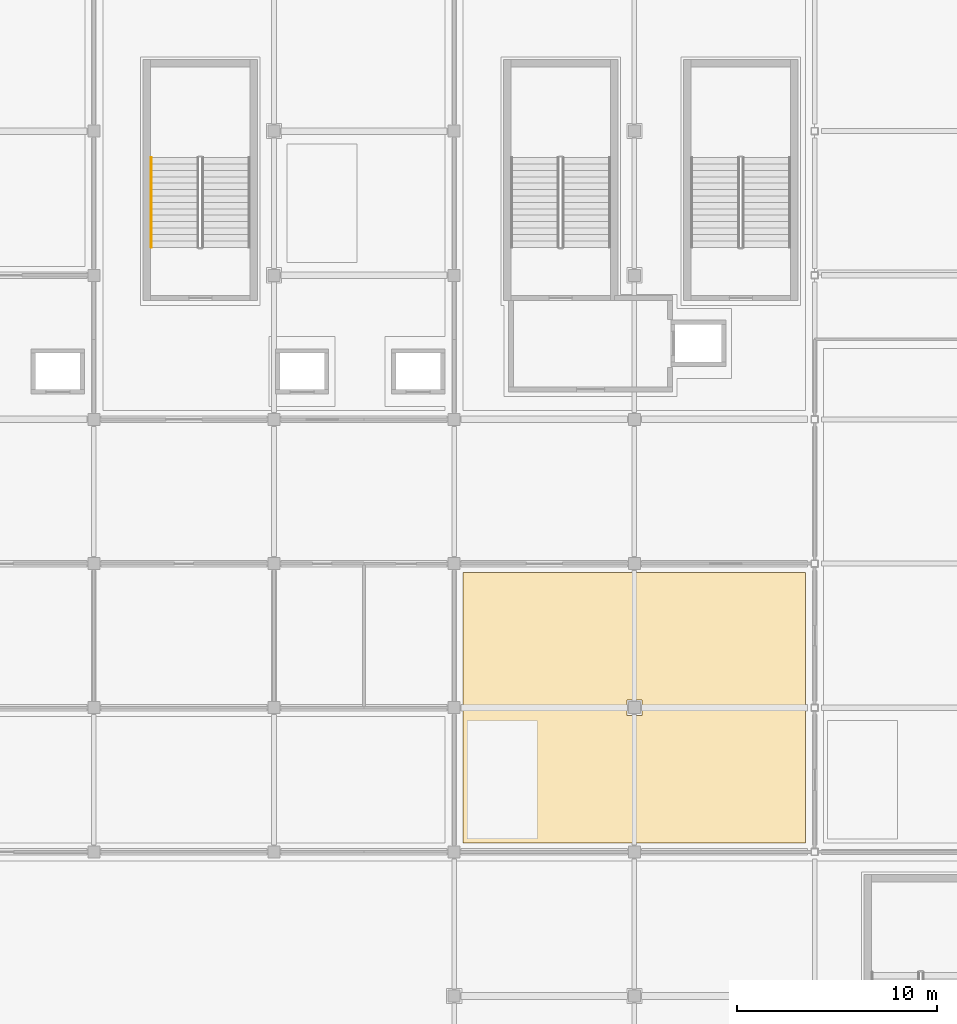
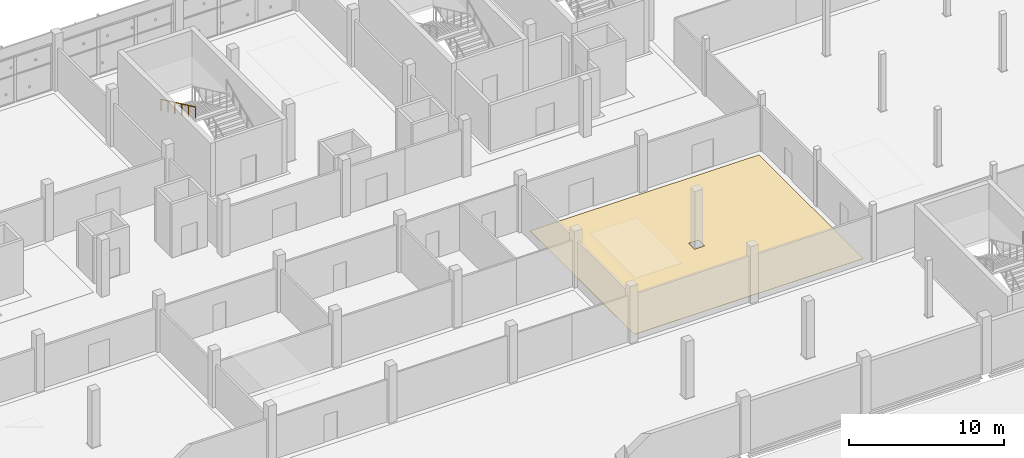
# One storey, part 120 of 124: 1 covering, 1 railing.
"""IFC4 building model written with IfcOpenShell, lengths in metres."""

from ifc_helpers import new_model, si_unit, direction, frame, origin, origin_2d, place, context, subcontext, project, spatial, polyline, circle, outline, extrude, material, layer, layer_set, type_object, element, save


model = new_model("IFC4")

# Units and contexts
model_context = context("Model", 3, precision=1e-05, world=origin(), true_north=direction((0.0, 1.0)))
body_context = subcontext(model_context, "Body", "Model", "MODEL_VIEW")
ifc_project = project(units=[si_unit("LENGTHUNIT", "METRE"), si_unit("AREAUNIT", "SQUARE_METRE"), si_unit("VOLUMEUNIT", "CUBIC_METRE"), si_unit("PLANEANGLEUNIT", "RADIAN"), si_unit("MASSUNIT", "GRAM", prefix="KILO")], contexts=[model_context])

# Site, building, storey
site_placement = place(None, origin())
site = spatial("IfcSite", under=ifc_project, at=site_placement, CompositionType="ELEMENT")
building_placement = place(site_placement, origin())
building = spatial("IfcBuilding", under=site, at=building_placement, Name="Celestram Park Convention Centre", CompositionType="ELEMENT")
storey_placement = place(building_placement, frame((0.0, 0.0, 15.300048828125)))
storey = spatial("IfcBuildingStorey", under=building, at=storey_placement, Name="L03", CompositionType="ELEMENT", Elevation=15.300048828125)

# Covering
ifc_material_1 = material(Name="Polished Lakefront Aggregate Terrazzo Flooring", Category="concrete")
ifc_layer_1 = layer(ifc_material_1, 0.02001953125)
ifc_layer_set_1 = layer_set([ifc_layer_1], Name="Polished Lakefront Aggregate Terrazzo Flooring")
covering_type = type_object("IfcCoveringType", Name="ARC-COV-FLR020", PredefinedType="FLOORING", material=ifc_layer_set_1)
covering_placement = place(storey_placement, origin())
element("IfcCovering", 1, at=covering_placement, inside=storey, type_object=covering_type, Name="Caucus Chamber 302 terrazzo flooring", PredefinedType="FLOORING", context=body_context, shape_type="SweptSolid", body=[
    extrude(outline(polyline([(98.550048828125, 136.35009765625), (98.550048828125, 122.85009765625), (81.449951171875, 122.85009765625), (81.449951171875, 136.35009765625), (98.550048828125, 136.35009765625)]), holes=[polyline([(89.6220703125, 129.97802734375), (89.6220703125, 129.221923828125), (90.3779296875, 129.221923828125), (90.3779296875, 129.97802734375), (89.6220703125, 129.97802734375)])]), origin(), (0.0, 0.0, 1.0), 0.02001953125),
])

# Railing
ifc_material_2 = material(Name="Brushed Stainless Steel AISI 304", Category="steel")
ifc_layer_2 = layer(ifc_material_2, 0.048095703125)
ifc_layer_set_2 = layer_set([ifc_layer_2], Name="Brushed Stainless Steel AISI 304")
railing_type = type_object("IfcRailingType", Name="ARC-RL-HND915", PredefinedType="HANDRAIL", material=ifc_layer_set_2)
railing_placement = place(storey_placement, frame((65.8759765625, 157.080078125, 2.39990234375)))
element("IfcRailing", 2, at=railing_placement, inside=storey, type_object=railing_type, Name="L03 ST-14 stair handrail 2", PredefinedType="HANDRAIL", context=body_context, shape_type="SweptSolid", body=[
    extrude(circle(Radius=0.02392578125, at=origin_2d()), frame((0.0, 0.0, 0.8759765625), z_axis=(0.0, -0.905450639465, 0.424451574969), x_axis=(1.0, 0.0, 0.0)), (0.0, 0.0, 1.0), 4.94775390625),
    extrude(circle(Radius=0.02099609375, at=origin_2d()), origin(), (0.0, 0.0, 1.0), 0.851806640625),
    extrude(circle(Radius=0.02099609375, at=origin_2d()), frame((0.0, -0.89599609375, 0.419921875)), (0.0, 0.0, 1.0), 0.851806640625),
    extrude(circle(Radius=0.02099609375, at=origin_2d()), frame((0.0, -1.7919921875, 0.840087890625)), (0.0, 0.0, 1.0), 0.851806640625),
    extrude(circle(Radius=0.02099609375, at=origin_2d()), frame((0.0, -2.68798828125, 1.260009765625)), (0.0, 0.0, 1.0), 0.851806640625),
    extrude(circle(Radius=0.02099609375, at=origin_2d()), frame((0.0, -3.583984375, 1.68017578125)), (0.0, 0.0, 1.0), 0.851806640625),
    extrude(circle(Radius=0.02099609375, at=origin_2d()), frame((0.0, -4.47998046875, 2.10009765625)), (0.0, 0.0, 1.0), 0.851806640625),
])

save(model, "model.ifc")
